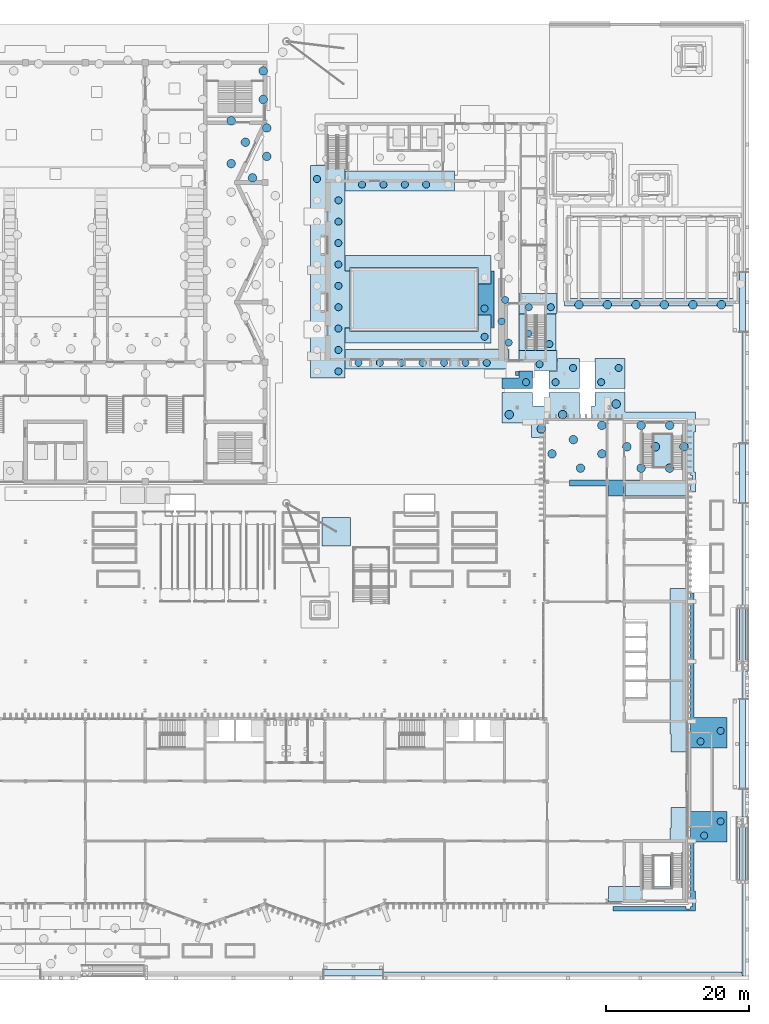
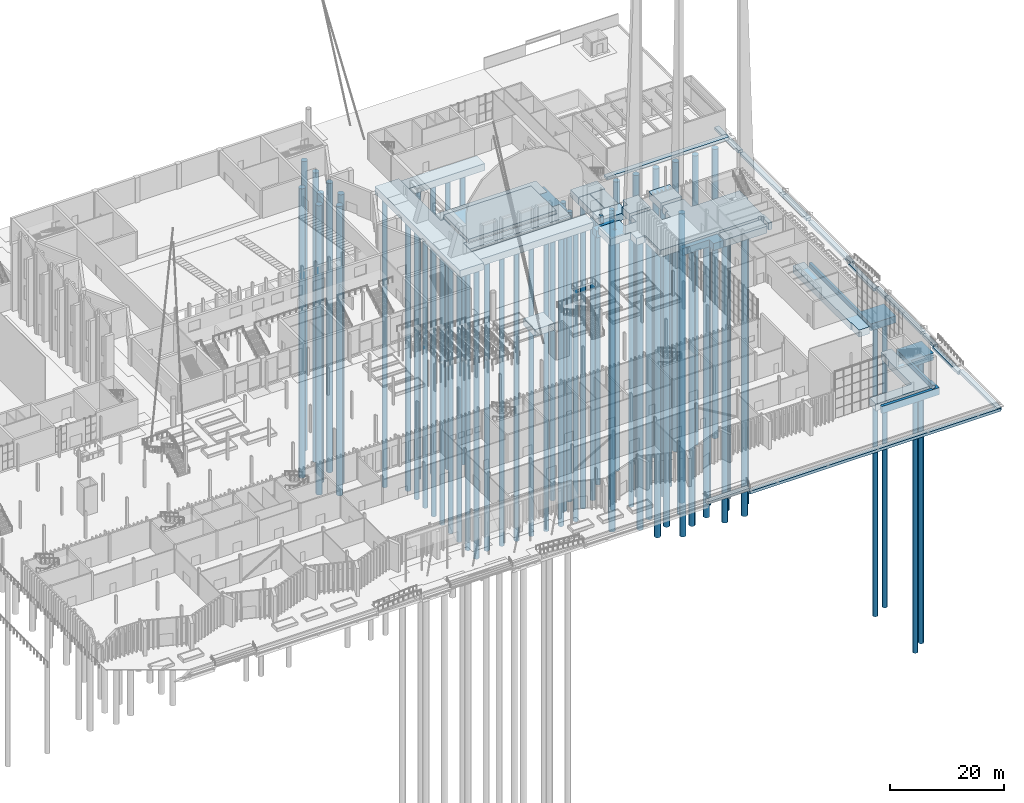
# One storey, part 3 of 108: 70 piles, 36 footings.
"""IFC4 building model written with IfcOpenShell, lengths in metres."""

from ifc_helpers import new_model, si_unit, direction, frame, origin, origin_2d, place, context, subcontext, project, spatial, polyline, rectangle, circle, outline, extrude, material, type_object, element, save


model = new_model("IFC4")

# Units and contexts
model_context = context("Model", 3, precision=1e-05, world=origin(), true_north=direction((0.0, 1.0)))
body_context = subcontext(model_context, "Body", "Model", "MODEL_VIEW")
ifc_project = project(units=[si_unit("LENGTHUNIT", "METRE"), si_unit("AREAUNIT", "SQUARE_METRE"), si_unit("VOLUMEUNIT", "CUBIC_METRE"), si_unit("PLANEANGLEUNIT", "RADIAN"), si_unit("MASSUNIT", "GRAM", prefix="KILO")], contexts=[model_context])

# Site, building, storey
site_placement = place(None, origin())
site = spatial("IfcSite", under=ifc_project, at=site_placement, CompositionType="ELEMENT")
building_placement = place(site_placement, origin())
building = spatial("IfcBuilding", under=site, at=building_placement, Name="Cresset Court Congress Hotel", CompositionType="ELEMENT")
storey_placement = place(building_placement, origin())
storey = spatial("IfcBuildingStorey", under=building, at=storey_placement, Name="L00", CompositionType="ELEMENT", Elevation=0.0)

# Footing
ifc_material_1 = material(Name="Concrete C35", Category="concrete")
footing_type_1 = type_object("IfcFootingType", Name="Anchor block 4000x4000x1500", PredefinedType="PAD_FOOTING", material=ifc_material_1)
footing_1_placement = place(storey_placement, frame((127.60009765625, 51.800048828125, -1.800048828125), z_axis=(0.0, 0.0, 1.0), x_axis=(1.0, 0.0, 0.0)))
element("IfcFooting", 1, at=footing_1_placement, inside=storey, type_object=footing_type_1, Name="Anchor block M2.1", PredefinedType="PAD_FOOTING", context=body_context, shape_type="SweptSolid", body=[
    extrude(rectangle(XDim=4.0, YDim=4.0, at=origin_2d()), origin(), (0.0, 0.0, 1.0), 1.5),
])

# Piles
ifc_material_2 = material(Name="Concrete C35", Category="concrete")
pile_type_1 = type_object("IfcPileType", Name="Bored pile D1000", PredefinedType="BORED", material=ifc_material_2)
for number, where, z_axis, x_axis, name in (
    (2, (127.89990234375, 74.300048828125, -2.800048828125), (0.0, 0.0, -1.0), (1.0, 0.0, 0.0), "Pile 143-2"),
    (3, (127.89990234375, 77.300048828125, -2.800048828125), (0.0, 0.0, -1.0), (1.0, 0.0, 0.0), "Pile 143-4"),
    (4, (127.89990234375, 80.300048828125, -2.800048828125), (0.0, 0.0, -1.0), (1.0, 0.0, 0.0), "Pile 143-6"),
    (5, (127.89990234375, 83.300048828125, -2.800048828125), (0.0, 0.0, -1.0), (1.0, 0.0, 0.0), "Pile 143-8"),
    (6, (127.89990234375, 86.300048828125, -2.800048828125), (0.0, 0.0, -1.0), (1.0, 0.0, 0.0), "Pile 143-10"),
    (7, (127.89990234375, 89.300048828125, -2.800048828125), (0.0, 0.0, -1.0), (1.0, 0.0, 0.0), "Pile 143-12"),
    (8, (127.89990234375, 92.300048828125, -2.800048828125), (0.0, 0.0, -1.0), (1.0, 0.0, 0.0), "Pile 143-14"),
    (9, (127.89990234375, 95.300048828125, -2.800048828125), (0.0, 0.0, -1.0), (1.0, 0.0, 0.0), "Pile 143-16"),
    (10, (127.89990234375, 98.300048828125, -2.800048828125), (0.0, 0.0, -1.0), (1.0, 0.0, 0.0), "Pile 143-18"),
    (11, (124.89990234375, 101.300048828125, -2.800048828125), (0.0, 0.0, -1.0), (1.0, 0.0, 0.0), "Pile 143-19"),
    (12, (148.425048828125, 79.14990234375, -2.800048828125), (0.0, 0.0, -1.0), (1.0, 0.0, 0.0), "Pile 147-1"),
    (13, (130.719970703125, 75.5, -2.800048828125), (0.0, 0.0, -1.0), (1.0, 0.0, 0.0), "Pile 149-1"),
    (14, (133.719970703125, 75.5, -2.800048828125), (0.0, 0.0, -1.0), (1.0, 0.0, 0.0), "Pile 149-2"),
    (15, (136.719970703125, 75.5, -2.800048828125), (0.0, 0.0, -1.0), (1.0, 0.0, 0.0), "Pile 149-3"),
    (16, (139.719970703125, 75.5, -2.800048828125), (0.0, 0.0, -1.0), (1.0, 0.0, 0.0), "Pile 149-4"),
    (17, (142.719970703125, 75.5, -2.800048828125), (0.0, 0.0, -1.0), (1.0, 0.0, 0.0), "Pile 149-5"),
    (18, (145.719970703125, 75.5, -2.800048828125), (0.0, 0.0, -1.0), (1.0, 0.0, 0.0), "Pile 149-6"),
    (19, (148.719970703125, 75.5, -2.800048828125), (0.0, 0.0, -1.0), (1.0, 0.0, 0.0), "Pile 149-7"),
    (20, (131.219970703125, 100.5, -2.800048828125), (0.0, 0.0, -1.0), (1.0, 0.0, 0.0), "Pile 150-1"),
    (21, (134.219970703125, 100.5, -2.800048828125), (0.0, 0.0, -1.0), (1.0, 0.0, 0.0), "Pile 150-2"),
    (22, (137.219970703125, 100.5, -2.800048828125), (0.0, 0.0, -1.0), (1.0, 0.0, 0.0), "Pile 150-3"),
    (23, (140.219970703125, 100.5, -2.800048828125), (0.0, 0.0, -1.0), (1.0, 0.0, 0.0), "Pile 150-4"),
    (24, (148.39990234375, 83.1201171875, -2.800048828125), (0.0, 0.0, -1.0), (1.0, 0.0, 0.0), "Pile 154-1"),
    (25, (151.800048828125, 78.320068359375, -2.800048828125), (0.0, 0.0, -1.0), (1.0, 0.0, 0.0), "Pile 155-1"),
    (26, (150.800048828125, 81.320068359375, -2.800048828125), (0.0, 0.0, -1.0), (1.0, 0.0, 0.0), "Pile 155-2"),
    (27, (151.300048828125, 84.320068359375, -2.800048828125), (0.0, 0.0, -1.0), (1.0, 0.0, 0.0), "Pile 155-3"),
    (28, (154.22509765625, 72.77490234375, -2.800048828125), (0.0, 0.0, -1.0), (1.0, 0.0, 0.0), "Pile 158-1"),
    (29, (156.1201171875, 75.300048828125, -2.800048828125), (0.0, 0.0, -1.0), (1.0, 0.0, 0.0), "Pile 159-1"),
    (30, (154.550048828125, 79.6201171875, -2.800048828125), (0.0, 0.0, -1.0), (1.0, 0.0, 0.0), "Pile 160-1"),
    (31, (154.6201171875, 83.300048828125, -2.800048828125), (0.0, 0.0, -1.0), (1.0, 0.0, 0.0), "Pile 161-1"),
    (32, (157.699951171875, 83.300048828125, -2.800048828125), (0.0, 0.0, -1.0), (1.0, 0.0, 0.0), "Pile 161-2"),
    (33, (157.5, 78.1201171875, -2.800048828125), (0.0, 0.0, -1.0), (1.0, 0.0, 0.0), "Pile 162-1"),
    (34, (158.375, 72.77490234375, -1.39990234375), (0.0, 0.0, -1.0), (1.0, 0.0, 0.0), "Pile 165-1"),
    (35, (160.824951171875, 74.77490234375, -1.39990234375), (0.0, 0.0, -1.0), (1.0, 0.0, 0.0), "Pile 165-2"),
    (36, (164.77490234375, 72.77490234375, -1.39990234375), (0.0, 0.0, -1.0), (1.0, 0.0, 0.0), "Pile 168-1"),
    (37, (167.22509765625, 74.77490234375, -1.39990234375), (0.0, 0.0, -1.0), (1.0, 0.0, 0.0), "Pile 168-2"),
    (38, (179.219970703125, 9.16357421875, -1.39990234375), (0.0, 0.0, -1.0), (1.0, 0.0, 0.0), "Pile 170-1"),
    (39, (181.53662109375, 11.16357421875, -1.39990234375), (0.0, 0.0, -1.0), (1.0, 0.0, 0.0), "Pile 170-2"),
    (40, (178.719970703125, 22.363525390625, -1.39990234375), (0.0, 0.0, -1.0), (1.0, 0.0, 0.0), "Pile 175-1"),
    (41, (181.53662109375, 23.863525390625, -1.39990234375), (0.0, 0.0, -1.0), (1.0, 0.0, 0.0), "Pile 175-2"),
):
    element("IfcPile", number, at=place(storey_placement, frame(where, z_axis=z_axis, x_axis=x_axis)), inside=storey, type_object=pile_type_1, Name=name, PredefinedType="BORED", context=body_context, shape_type="SweptSolid", body=[
        extrude(circle(Radius=0.5, at=origin_2d()), origin(), (0.0, 0.0, 1.0), 62.0),
    ])
ifc_material_3 = material(Name="Concrete C35", Category="concrete")
pile_type_2 = type_object("IfcPileType", Name="Bored pile D1200", PredefinedType="BORED", material=ifc_material_3)
for number, where, z_axis, x_axis, name in (
    (42, (115.85009765625, 101.449951171875, -1.39990234375), (0.0, 0.0, -1.0), (1.0, 0.0, 0.0), "Pile 131-102"),
    (43, (112.85009765625, 103.449951171875, -1.39990234375), (0.0, 0.0, -1.0), (1.0, 0.0, 0.0), "Pile 131-109"),
    (44, (117.85009765625, 104.449951171875, -1.39990234375), (0.0, 0.0, -1.0), (1.0, 0.0, 0.0), "Pile 131-113"),
    (45, (114.85009765625, 106.449951171875, -1.39990234375), (0.0, 0.0, -1.0), (1.0, 0.0, 0.0), "Pile 131-116"),
    (46, (117.85009765625, 108.449951171875, -1.39990234375), (0.0, 0.0, -1.0), (1.0, 0.0, 0.0), "Pile 131-121"),
    (47, (112.85009765625, 109.449951171875, -1.39990234375), (0.0, 0.0, -1.0), (1.0, 0.0, 0.0), "Pile 131-123"),
    (48, (117.35009765625, 112.449951171875, -1.39990234375), (0.0, 0.0, -1.0), (1.0, 0.0, 0.0), "Pile 131-129"),
    (49, (117.35009765625, 116.449951171875, -1.39990234375), (0.0, 0.0, -1.0), (1.0, 0.0, 0.0), "Pile 131-137"),
    (50, (161.875, 60.719970703125, -1.60009765625), (0.0, 0.0, -1.0), (1.0, 0.0, 0.0), "Pile 157-1"),
    (51, (170.375, 60.719970703125, -1.60009765625), (0.0, 0.0, -1.0), (1.0, 0.0, 0.0), "Pile 157-2"),
    (52, (174.375, 60.719970703125, -1.60009765625), (0.0, 0.0, -1.0), (1.0, 0.0, 0.0), "Pile 157-3"),
    (53, (157.875, 62.719970703125, -1.60009765625), (0.0, 0.0, -1.0), (1.0, 0.0, 0.0), "Pile 157-4"),
    (54, (164.875, 62.719970703125, -1.60009765625), (0.0, 0.0, -1.0), (1.0, 0.0, 0.0), "Pile 157-5"),
    (55, (168.375, 63.719970703125, -1.60009765625), (0.0, 0.0, -1.0), (1.0, 0.0, 0.0), "Pile 157-6"),
    (56, (172.375, 63.719970703125, -1.60009765625), (0.0, 0.0, -1.0), (1.0, 0.0, 0.0), "Pile 157-7"),
    (57, (176.375, 63.719970703125, -1.60009765625), (0.0, 0.0, -1.0), (1.0, 0.0, 0.0), "Pile 157-8"),
    (58, (160.875, 64.719970703125, -1.60009765625), (0.0, 0.0, -1.0), (1.0, 0.0, 0.0), "Pile 157-9"),
    (59, (156.375, 66.219970703125, -1.60009765625), (0.0, 0.0, -1.0), (1.0, 0.0, 0.0), "Pile 157-10"),
    (60, (164.875, 66.719970703125, -1.60009765625), (0.0, 0.0, -1.0), (1.0, 0.0, 0.0), "Pile 157-11"),
    (61, (170.375, 66.719970703125, -1.60009765625), (0.0, 0.0, -1.0), (1.0, 0.0, 0.0), "Pile 157-12"),
    (62, (174.375, 66.719970703125, -1.60009765625), (0.0, 0.0, -1.0), (1.0, 0.0, 0.0), "Pile 157-13"),
    (63, (151.875, 68.219970703125, -1.60009765625), (0.0, 0.0, -1.0), (1.0, 0.0, 0.0), "Pile 157-14"),
    (64, (159.375, 68.219970703125, -1.60009765625), (0.0, 0.0, -1.0), (1.0, 0.0, 0.0), "Pile 157-15"),
    (65, (166.875, 69.719970703125, -1.60009765625), (0.0, 0.0, -1.0), (1.0, 0.0, 0.0), "Pile 157-16"),
    (66, (161.64990234375, 83.64990234375, -1.39990234375), (0.0, 0.0, -1.0), (1.0, 0.0, 0.0), "Pile 166-1"),
    (67, (165.64990234375, 83.64990234375, -1.39990234375), (0.0, 0.0, -1.0), (1.0, 0.0, 0.0), "Pile 166-2"),
    (68, (169.64990234375, 83.64990234375, -1.39990234375), (0.0, 0.0, -1.0), (1.0, 0.0, 0.0), "Pile 166-3"),
    (69, (173.64990234375, 83.64990234375, -1.39990234375), (0.0, 0.0, -1.0), (1.0, 0.0, 0.0), "Pile 166-4"),
    (70, (177.64990234375, 83.64990234375, -1.39990234375), (0.0, 0.0, -1.0), (1.0, 0.0, 0.0), "Pile 166-5"),
    (71, (181.64990234375, 83.64990234375, -1.39990234375), (0.0, 0.0, -1.0), (1.0, 0.0, 0.0), "Pile 166-6"),
):
    element("IfcPile", number, at=place(storey_placement, frame(where, z_axis=z_axis, x_axis=x_axis)), inside=storey, type_object=pile_type_2, Name=name, PredefinedType="BORED", context=body_context, shape_type="SweptSolid", body=[
        extrude(circle(Radius=0.60009765625, at=origin_2d()), origin(), (0.0, 0.0, 1.0), 62.0),
    ])

# Footings
ifc_material_4 = material(Name="Concrete C35", Category="concrete")
footing_type_2 = type_object("IfcFootingType", Name="Column pedestal 550x550x1400", PredefinedType="PAD_FOOTING", material=ifc_material_4)
footing_2_placement = place(storey_placement, frame((153.0, 74.0, -1.39990234375), z_axis=(0.0, 0.0, 1.0), x_axis=(1.0, 0.0, 0.0)))
element("IfcFooting", 72, at=footing_2_placement, inside=storey, type_object=footing_type_2, Name="Column pedestal CP02", PredefinedType="PAD_FOOTING", context=body_context, shape_type="SweptSolid", body=[
    extrude(rectangle(XDim=0.550048828125, YDim=0.550048828125, at=origin_2d()), origin(), (0.0, 0.0, 1.0), 1.39990234375),
])
ifc_material_5 = material(Name="Concrete C35", Category="concrete")
footing_type_3 = type_object("IfcFootingType", Name="Ground pad 8.56x2.28", PredefinedType="PAD_FOOTING", material=ifc_material_5)
footing_3_placement = place(storey_placement, frame((0.0, 0.0, -1.699951171875)))
element("IfcFooting", 73, at=footing_3_placement, inside=storey, type_object=footing_type_3, Name="Ground pad GP171", PredefinedType="PAD_FOOTING", context=body_context, shape_type="SweptSolid", body=[
    extrude(outline(polyline([(168.1201171875, 59.080078125), (176.679931640625, 59.080078125), (176.679931640625, 56.800048828125), (168.1201171875, 56.800048828125), (168.1201171875, 59.080078125)])), origin(), (0.0, 0.0, 1.0), 1.5),
])
ifc_material_6 = material(Name="Concrete C35", Category="concrete")
footing_type_4 = type_object("IfcFootingType", Name="Ground pad group 48.6 m2", PredefinedType="PAD_FOOTING", material=ifc_material_6)
footing_4_placement = place(storey_placement, frame((0.0, 0.0, -1.5)))
element("IfcFooting", 74, at=footing_4_placement, inside=storey, type_object=footing_type_4, Name="Ground pad GP169", PredefinedType="PAD_FOOTING", context=body_context, shape_type="SweptSolid", body=[
    extrude(outline(polyline([(174.39990234375, 10.199951171875), (174.56396484375, 10.199951171875), (174.56396484375, 13.135986328125), (176.679931640625, 13.135986328125), (176.679931640625, -0.179931640625), (165.800048828125, -0.179931640625), (165.800048828125, 2.0), (174.39990234375, 2.0), (174.39990234375, 10.199951171875)])), origin(), (0.0, 0.0, 1.0), 1.5),
])
ifc_material_7 = material(Name="Concrete C35", Category="concrete")
footing_type_5 = type_object("IfcFootingType", Name="Ground pad group 51.9 m2", PredefinedType="PAD_FOOTING", material=ifc_material_7)
footing_5_placement = place(storey_placement, frame((0.0, 0.0, -1.5)))
element("IfcFooting", 75, at=footing_5_placement, inside=storey, type_object=footing_type_5, Name="Ground pad GP173", PredefinedType="PAD_FOOTING", context=body_context, shape_type="SweptSolid", body=[
    extrude(outline(polyline([(174.39990234375, 23.39990234375), (174.39990234375, 43.800048828125), (176.679931640625, 43.800048828125), (176.679931640625, 20.863037109375), (174.56396484375, 20.863037109375), (174.56396484375, 23.39990234375), (174.39990234375, 23.39990234375)])), origin(), (0.0, 0.0, 1.0), 1.5),
])
ifc_material_8 = material(Name="Concrete C35", Category="concrete")
footing_type_6 = type_object("IfcFootingType", Name="Ground pad group 9.6 m2", PredefinedType="PAD_FOOTING", material=ifc_material_8)
footing_6_placement = place(storey_placement, frame((0.0, 0.0, -1.699951171875)))
element("IfcFooting", 76, at=footing_6_placement, inside=storey, type_object=footing_type_6, Name="Ground pad GP167", PredefinedType="PAD_FOOTING", context=body_context, shape_type="SweptSolid", body=[
    extrude(outline(polyline([(160.320068359375, 58.199951171875), (160.320068359375, 59.080078125), (167.8798828125, 59.080078125), (167.8798828125, 56.800048828125), (165.800048828125, 56.800048828125), (165.800048828125, 58.199951171875), (160.320068359375, 58.199951171875)])), origin(), (0.0, 0.0, 1.0), 1.5),
])
ifc_material_9 = material(Name="Concrete C35", Category="concrete")
footing_type_7 = type_object("IfcFootingType", Name="Pile cap 2.23x5.16, 1 pile", PredefinedType="PILE_CAP", material=ifc_material_9)
footing_7_placement = place(storey_placement, frame((0.0, 0.0, -2.89990234375)))
element("IfcFooting", 77, at=footing_7_placement, inside=storey, type_object=footing_type_7, Name="Pile cap PC160", PredefinedType="PILE_CAP", context=body_context, shape_type="SweptSolid", body=[
    extrude(outline(polyline([(155.449951171875, 82.3798828125), (155.449951171875, 77.219970703125), (153.219970703125, 77.219970703125), (153.219970703125, 82.3798828125), (155.449951171875, 82.3798828125)])), origin(), (0.0, 0.0, 1.0), 1.5),
])
ifc_material_10 = material(Name="Concrete C35", Category="concrete")
footing_type_8 = type_object("IfcFootingType", Name="Pile cap 2.8x5.16, 1 pile", PredefinedType="PILE_CAP", material=ifc_material_10)
footing_8_placement = place(storey_placement, frame((0.0, 0.0, -2.89990234375)))
element("IfcFooting", 78, at=footing_8_placement, inside=storey, type_object=footing_type_8, Name="Pile cap PC162", PredefinedType="PILE_CAP", context=body_context, shape_type="SweptSolid", body=[
    extrude(outline(polyline([(158.39990234375, 82.3798828125), (158.39990234375, 77.219970703125), (155.60009765625, 77.219970703125), (155.60009765625, 82.3798828125), (158.39990234375, 82.3798828125)])), origin(), (0.0, 0.0, 1.0), 1.5),
])
ifc_material_11 = material(Name="Concrete C35", Category="concrete")
footing_type_9 = type_object("IfcFootingType", Name="Pile cap 22.98x2.8, 7 piles", PredefinedType="PILE_CAP", material=ifc_material_11)
footing_9_placement = place(storey_placement, frame((0.0, 0.0, -2.89990234375)))
element("IfcFooting", 79, at=footing_9_placement, inside=storey, type_object=footing_type_9, Name="Pile cap PC149", PredefinedType="PILE_CAP", context=body_context, shape_type="SweptSolid", body=[
    extrude(outline(polyline([(128.820068359375, 77.39990234375), (151.800048828125, 77.39990234375), (151.800048828125, 74.60009765625), (128.820068359375, 74.60009765625), (128.820068359375, 77.39990234375)])), origin(), (0.0, 0.0, 1.0), 1.5),
])
ifc_material_12 = material(Name="Concrete C35", Category="concrete")
footing_type_10 = type_object("IfcFootingType", Name="Pile cap 4.25x4.25, 2 piles", PredefinedType="PILE_CAP", material=ifc_material_12)
footing_10_placement = place(storey_placement, frame((0.0, 0.0, -1.5)))
element("IfcFooting", 80, at=footing_10_placement, inside=storey, type_object=footing_type_10, Name="Pile cap PC168", PredefinedType="PILE_CAP", context=body_context, shape_type="SweptSolid", body=[
    extrude(outline(polyline([(168.125, 76.125), (168.125, 71.875), (163.875, 71.875), (163.875, 76.125), (168.125, 76.125)])), origin(), (0.0, 0.0, 1.0), 1.5),
])
ifc_material_13 = material(Name="Concrete C35", Category="concrete")
footing_type_11 = type_object("IfcFootingType", Name="Pile cap group 11.3 m2, 1 pile", PredefinedType="PILE_CAP", material=ifc_material_13)
footing_11_placement = place(storey_placement, frame((0.0, 0.0, -2.89990234375)))
element("IfcFooting", 81, at=footing_11_placement, inside=storey, type_object=footing_type_11, Name="Pile cap PC154", PredefinedType="PILE_CAP", context=body_context, shape_type="SweptSolid", body=[
    extrude(outline(polyline([(147.5, 86.580078125), (149.344970703125, 86.580078125), (149.344970703125, 88.3798828125), (149.75, 88.3798828125), (149.75, 80.419921875), (149.344970703125, 80.419921875), (149.344970703125, 82.219970703125), (147.5, 82.219970703125), (147.5, 86.580078125)])), origin(), (0.0, 0.0, 1.0), 1.5),
])
ifc_material_14 = material(Name="Concrete C35", Category="concrete")
footing_type_12 = type_object("IfcFootingType", Name="Pile cap group 148.6 m2, 20 piles", PredefinedType="PILE_CAP", material=ifc_material_14)
footing_12_placement = place(storey_placement, frame((0.0, 0.0, -2.89990234375)))
element("IfcFooting", 82, at=footing_12_placement, inside=storey, type_object=footing_type_12, Name="Pile cap PC143", PredefinedType="PILE_CAP", context=body_context, shape_type="SweptSolid", body=[
    extrude(outline(polyline([(129.5, 80.419921875), (128.800048828125, 80.419921875), (128.800048828125, 73.39990234375), (124.0, 73.39990234375), (124.0, 103.199951171875), (128.800048828125, 103.199951171875), (128.800048828125, 88.3798828125), (129.5, 88.3798828125), (129.5, 80.419921875)])), origin(), (0.0, 0.0, 1.0), 1.5),
])
ifc_material_15 = material(Name="Concrete C35", Category="concrete")
footing_type_13 = type_object("IfcFootingType", Name="Pile cap group 15.1 m2, 1 pile", PredefinedType="PILE_CAP", material=ifc_material_15)
footing_13_placement = place(storey_placement, frame((0.0, 0.0, -2.89990234375)))
element("IfcFooting", 83, at=footing_13_placement, inside=storey, type_object=footing_type_13, Name="Pile cap PC159", PredefinedType="PILE_CAP", context=body_context, shape_type="SweptSolid", body=[
    extrude(outline(polyline([(153.219970703125, 77.199951171875), (158.60009765625, 77.199951171875), (158.60009765625, 74.39990234375), (155.14501953125, 74.39990234375), (153.219970703125, 74.39990234375), (153.219970703125, 77.199951171875)])), origin(), (0.0, 0.0, 1.0), 1.5),
])
ifc_material_16 = material(Name="Concrete C35", Category="concrete")
footing_type_14 = type_object("IfcFootingType", Name="Pile cap group 15.1 m2, 2 piles", PredefinedType="PILE_CAP", material=ifc_material_16)
footing_14_placement = place(storey_placement, frame((0.0, 0.0, -2.89990234375)))
element("IfcFooting", 84, at=footing_14_placement, inside=storey, type_object=footing_type_14, Name="Pile cap PC161", PredefinedType="PILE_CAP", context=body_context, shape_type="SweptSolid", body=[
    extrude(outline(polyline([(153.219970703125, 85.199951171875), (158.60009765625, 85.199951171875), (158.60009765625, 82.39990234375), (155.469970703125, 82.39990234375), (153.219970703125, 82.39990234375), (153.219970703125, 85.199951171875)])), origin(), (0.0, 0.0, 1.0), 1.5),
])
ifc_material_17 = material(Name="Concrete C35", Category="concrete")
footing_type_15 = type_object("IfcFootingType", Name="Pile cap group 16.1 m2, 2 piles", PredefinedType="PILE_CAP", material=ifc_material_17)
footing_15_placement = place(storey_placement, frame((0.0, 0.0, -1.5)))
element("IfcFooting", 85, at=footing_15_placement, inside=storey, type_object=footing_type_15, Name="Pile cap PC165", PredefinedType="PILE_CAP", context=body_context, shape_type="SweptSolid", body=[
    extrude(outline(polyline([(157.47509765625, 74.3798828125), (158.6201171875, 74.3798828125), (158.6201171875, 76.125), (161.72509765625, 76.125), (161.72509765625, 71.875), (157.47509765625, 71.875), (157.47509765625, 74.3798828125)])), origin(), (0.0, 0.0, 1.0), 1.5),
])
ifc_material_18 = material(Name="Concrete C35", Category="concrete")
footing_type_16 = type_object("IfcFootingType", Name="Pile cap group 237.2 m2, 16 piles", PredefinedType="PILE_CAP", material=ifc_material_18)
footing_16_placement = place(storey_placement, frame((0.0, 0.0, -1.699951171875)))
element("IfcFooting", 86, at=footing_16_placement, inside=storey, type_object=footing_type_16, Name="Pile cap PC157", PredefinedType="PILE_CAP", context=body_context, shape_type="SweptSolid", body=[
    extrude(outline(polyline([(163.39697265625, 67.699951171875), (163.39697265625, 69.4140625), (163.875, 69.4140625), (163.875, 71.324951171875), (168.125, 71.324951171875), (168.125, 68.60009765625), (178.0, 68.60009765625), (178.0, 65.800048828125), (177.800048828125, 65.800048828125), (177.800048828125, 60.199951171875), (178.0, 60.199951171875), (178.0, 57.39990234375), (177.320068359375, 57.39990234375), (177.320068359375, 59.080078125), (177.6201171875, 59.080078125), (177.6201171875, 59.719970703125), (177.320068359375, 59.719970703125), (177.320068359375, 60.02001953125), (176.679931640625, 60.02001953125), (176.679931640625, 59.719970703125), (156.699951171875, 59.719970703125), (156.699951171875, 64.986083984375), (154.99609375, 64.986083984375), (154.99609375, 67.074951171875), (150.875, 67.074951171875), (150.875, 71.324951171875), (155.125, 71.324951171875), (155.125, 69.4140625), (157.47509765625, 69.4140625), (157.47509765625, 71.324951171875), (161.72509765625, 71.324951171875), (161.72509765625, 67.699951171875), (163.39697265625, 67.699951171875)])), origin(), (0.0, 0.0, 1.0), 1.5),
])
ifc_material_19 = material(Name="Concrete C35", Category="concrete")
footing_type_17 = type_object("IfcFootingType", Name="Pile cap group 30.2 m2, 2 piles", PredefinedType="PILE_CAP", material=ifc_material_19)
footing_17_placement = place(storey_placement, frame((0.0, 0.0, -1.5)))
element("IfcFooting", 87, at=footing_17_placement, inside=storey, type_object=footing_type_17, Name="Pile cap PC175", PredefinedType="PILE_CAP", context=body_context, shape_type="SweptSolid", body=[
    extrude(outline(polyline([(177.320068359375, 21.462890625), (177.320068359375, 43.199951171875), (177.800048828125, 43.199951171875), (177.800048828125, 25.737060546875), (182.43701171875, 25.737060546875), (182.43701171875, 21.462890625), (177.320068359375, 21.462890625)])), origin(), (0.0, 0.0, 1.0), 1.5),
])
ifc_material_20 = material(Name="Concrete C35", Category="concrete")
footing_type_18 = type_object("IfcFootingType", Name="Pile cap group 33 m2, 2 piles", PredefinedType="PILE_CAP", material=ifc_material_20)
footing_18_placement = place(storey_placement, frame((0.0, 0.0, -1.5)))
element("IfcFooting", 88, at=footing_18_placement, inside=storey, type_object=footing_type_18, Name="Pile cap PC170", PredefinedType="PILE_CAP", context=body_context, shape_type="SweptSolid", body=[
    extrude(outline(polyline([(178.0, 1.39990234375), (178.0, -1.39990234375), (166.39990234375, -1.39990234375), (166.39990234375, -0.820068359375), (176.679931640625, -0.820068359375), (176.679931640625, -1.1201171875), (177.320068359375, -1.1201171875), (177.320068359375, -0.820068359375), (177.6201171875, -0.820068359375), (177.6201171875, -0.179931640625), (177.320068359375, -0.179931640625), (177.320068359375, 12.537109375), (182.43701171875, 12.537109375), (182.43701171875, 8.263916015625), (177.800048828125, 8.263916015625), (177.800048828125, 1.39990234375), (178.0, 1.39990234375)])), origin(), (0.0, 0.0, 1.0), 1.5),
])
ifc_material_21 = material(Name="Concrete C35", Category="concrete")
footing_type_19 = type_object("IfcFootingType", Name="Pile cap group 38.4 m2, 1 pile", PredefinedType="PILE_CAP", material=ifc_material_21)
footing_19_placement = place(storey_placement, frame((0.0, 0.0, -2.89990234375)))
element("IfcFooting", 89, at=footing_19_placement, inside=storey, type_object=footing_type_19, Name="Pile cap PC147", PredefinedType="PILE_CAP", context=body_context, shape_type="SweptSolid", body=[
    extrude(outline(polyline([(129.5, 79.89990234375), (147.5, 79.89990234375), (147.5, 82.199951171875), (149.324951171875, 82.199951171875), (149.324951171875, 78.25), (128.820068359375, 78.25), (128.820068359375, 80.39990234375), (129.5, 80.39990234375), (129.5, 79.89990234375)])), origin(), (0.0, 0.0, 1.0), 1.5),
])
footing_20_placement = place(storey_placement, frame((0.0, 0.0, -2.89990234375)))
element("IfcFooting", 90, at=footing_20_placement, inside=storey, type_object=footing_type_19, Name="Pile cap PC148", PredefinedType="PILE_CAP", context=body_context, shape_type="SweptSolid", body=[
    extrude(outline(polyline([(149.324951171875, 90.550048828125), (149.324951171875, 86.60009765625), (147.5, 86.60009765625), (147.5, 88.89990234375), (129.5, 88.89990234375), (129.5, 88.39990234375), (128.820068359375, 88.39990234375), (128.820068359375, 90.550048828125), (149.324951171875, 90.550048828125)])), origin(), (0.0, 0.0, 1.0), 1.5),
])
ifc_material_22 = material(Name="Concrete C35", Category="concrete")
footing_type_20 = type_object("IfcFootingType", Name="Pile cap group 43.1 m2, 5 piles", PredefinedType="PILE_CAP", material=ifc_material_22)
footing_21_placement = place(storey_placement, frame((0.0, 0.0, -2.89990234375)))
element("IfcFooting", 91, at=footing_21_placement, inside=storey, type_object=footing_type_20, Name="Pile cap PC150", PredefinedType="PILE_CAP", context=body_context, shape_type="SweptSolid", body=[
    extrude(outline(polyline([(128.820068359375, 102.39990234375), (130.570068359375, 102.39990234375), (144.199951171875, 102.39990234375), (144.199951171875, 99.60009765625), (128.820068359375, 99.60009765625), (128.820068359375, 102.39990234375)])), origin(), (0.0, 0.0, 1.0), 1.5),
])
ifc_material_23 = material(Name="Concrete C35", Category="concrete")
footing_type_21 = type_object("IfcFootingType", Name="Pile cap group 8.3 m2, 1 pile", PredefinedType="PILE_CAP", material=ifc_material_23)
footing_22_placement = place(storey_placement, frame((0.0, 0.0, -2.89990234375)))
element("IfcFooting", 92, at=footing_22_placement, inside=storey, type_object=footing_type_21, Name="Pile cap PC158", PredefinedType="PILE_CAP", context=body_context, shape_type="SweptSolid", body=[
    extrude(outline(polyline([(153.219970703125, 73.3798828125), (153.219970703125, 74.3798828125), (155.125, 74.3798828125), (155.125, 71.875), (150.875, 71.875), (150.875, 73.3798828125), (153.219970703125, 73.3798828125)])), origin(), (0.0, 0.0, 1.0), 1.5),
])
ifc_material_24 = material(Name="Concrete C35", Category="concrete")
footing_type_22 = type_object("IfcFootingType", Name="RC pool tank raft 700 C35", PredefinedType="PAD_FOOTING", material=ifc_material_24)
footing_23_placement = place(storey_placement, frame((0.0, 0.0, -1.39990234375)))
element("IfcFooting", 93, at=footing_23_placement, inside=storey, type_object=footing_type_22, Name="Leisure pool tank raft", PredefinedType="PAD_FOOTING", context=body_context, shape_type="SweptSolid", body=[
    extrude(outline(polyline([(129.64990234375, 80.050048828125), (147.35009765625, 80.050048828125), (147.35009765625, 88.75), (129.64990234375, 88.75), (129.64990234375, 80.050048828125)])), origin(), (0.0, 0.0, 1.0), 0.699951171875),
])
ifc_material_25 = material(Name="Concrete C35", Category="concrete")
footing_type_23 = type_object("IfcFootingType", Name="Strip footing 1000x600", PredefinedType="STRIP_FOOTING", material=ifc_material_25)
footing_24_placement = place(storey_placement, frame((0.0, 0.0, -1.800048828125)))
element("IfcFooting", 94, at=footing_24_placement, inside=storey, type_object=footing_type_23, Name="Strip footing PS06", PredefinedType="STRIP_FOOTING", context=body_context, shape_type="SweptSolid", body=[
    extrude(outline(polyline([(134.199951171875, -10.0), (185.050048828125, -10.0), (185.050048828125, -10.800048828125), (134.199951171875, -10.800048828125), (134.199951171875, -10.0)])), origin(), (0.0, 0.0, 1.0), 0.60009765625),
])
footing_25_placement = place(storey_placement, frame((0.0, 0.0, -1.800048828125)))
element("IfcFooting", 95, at=footing_25_placement, inside=storey, type_object=footing_type_23, Name="Strip footing PE01", PredefinedType="STRIP_FOOTING", context=body_context, shape_type="SweptSolid", body=[
    extrude(outline(polyline([(184.5, -10.550048828125), (184.5, 2.89990234375), (185.300048828125, 2.89990234375), (185.300048828125, -10.550048828125), (184.5, -10.550048828125)])), origin(), (0.0, 0.0, 1.0), 0.60009765625),
])
footing_26_placement = place(storey_placement, frame((0.0, 0.0, -1.800048828125)))
element("IfcFooting", 96, at=footing_26_placement, inside=storey, type_object=footing_type_23, Name="Strip footing PE02", PredefinedType="STRIP_FOOTING", context=body_context, shape_type="SweptSolid", body=[
    extrude(outline(polyline([(184.5, 11.800048828125), (184.5, 15.699951171875), (185.300048828125, 15.699951171875), (185.300048828125, 11.800048828125), (184.5, 11.800048828125)])), origin(), (0.0, 0.0, 1.0), 0.60009765625),
])
footing_27_placement = place(storey_placement, frame((0.0, 0.0, -1.800048828125)))
element("IfcFooting", 97, at=footing_27_placement, inside=storey, type_object=footing_type_23, Name="Strip footing PE03", PredefinedType="STRIP_FOOTING", context=body_context, shape_type="SweptSolid", body=[
    extrude(outline(polyline([(184.5, 28.300048828125), (184.5, 32.199951171875), (185.300048828125, 32.199951171875), (185.300048828125, 28.300048828125), (184.5, 28.300048828125)])), origin(), (0.0, 0.0, 1.0), 0.60009765625),
])
footing_28_placement = place(storey_placement, frame((0.0, 0.0, -1.800048828125)))
element("IfcFooting", 98, at=footing_28_placement, inside=storey, type_object=footing_type_23, Name="Strip footing PE04", PredefinedType="STRIP_FOOTING", context=body_context, shape_type="SweptSolid", body=[
    extrude(outline(polyline([(184.5, 41.10009765625), (184.5, 55.800048828125), (185.300048828125, 55.800048828125), (185.300048828125, 41.10009765625), (184.5, 41.10009765625)])), origin(), (0.0, 0.0, 1.0), 0.60009765625),
])
footing_29_placement = place(storey_placement, frame((0.0, 0.0, -1.800048828125)))
element("IfcFooting", 99, at=footing_29_placement, inside=storey, type_object=footing_type_23, Name="Strip footing PE05", PredefinedType="STRIP_FOOTING", context=body_context, shape_type="SweptSolid", body=[
    extrude(outline(polyline([(184.5, 64.199951171875), (184.5, 79.800048828125), (185.300048828125, 79.800048828125), (185.300048828125, 64.199951171875), (184.5, 64.199951171875)])), origin(), (0.0, 0.0, 1.0), 0.60009765625),
])
footing_30_placement = place(storey_placement, frame((0.0, 0.0, -1.199951171875)))
element("IfcFooting", 100, at=footing_30_placement, inside=storey, type_object=footing_type_23, Name="Strip footing steps S03", PredefinedType="STRIP_FOOTING", context=body_context, shape_type="SweptSolid", body=[
    extrude(outline(polyline([(125.800048828125, -9.64990234375), (134.199951171875, -9.64990234375), (134.199951171875, -10.550048828125), (125.800048828125, -10.550048828125), (125.800048828125, -9.64990234375)])), origin(), (0.0, 0.0, 1.0), 0.550048828125),
])
footing_31_placement = place(storey_placement, frame((0.0, 0.0, -1.199951171875)))
element("IfcFooting", 101, at=footing_31_placement, inside=storey, type_object=footing_type_23, Name="Strip footing steps E01", PredefinedType="STRIP_FOOTING", context=body_context, shape_type="SweptSolid", body=[
    extrude(outline(polyline([(184.14990234375, 15.699951171875), (184.14990234375, 28.300048828125), (185.050048828125, 28.300048828125), (185.050048828125, 15.699951171875), (184.14990234375, 15.699951171875)])), origin(), (0.0, 0.0, 1.0), 0.550048828125),
])
footing_32_placement = place(storey_placement, frame((0.0, 0.0, -1.199951171875)))
element("IfcFooting", 102, at=footing_32_placement, inside=storey, type_object=footing_type_23, Name="Strip footing steps E02", PredefinedType="STRIP_FOOTING", context=body_context, shape_type="SweptSolid", body=[
    extrude(outline(polyline([(184.14990234375, 55.800048828125), (184.14990234375, 64.199951171875), (185.050048828125, 64.199951171875), (185.050048828125, 55.800048828125), (184.14990234375, 55.800048828125)])), origin(), (0.0, 0.0, 1.0), 0.550048828125),
])
footing_33_placement = place(storey_placement, frame((0.0, 0.0, -1.199951171875)))
element("IfcFooting", 103, at=footing_33_placement, inside=storey, type_object=footing_type_23, Name="Strip footing steps E03", PredefinedType="STRIP_FOOTING", context=body_context, shape_type="SweptSolid", body=[
    extrude(outline(polyline([(184.14990234375, 79.800048828125), (184.14990234375, 88.199951171875), (185.050048828125, 88.199951171875), (185.050048828125, 79.800048828125), (184.14990234375, 79.800048828125)])), origin(), (0.0, 0.0, 1.0), 0.550048828125),
])
footing_34_placement = place(storey_placement, frame((0.0, 0.0, -2.0)))
element("IfcFooting", 104, at=footing_34_placement, inside=storey, type_object=footing_type_23, Name="Strip footing ramp E01", PredefinedType="STRIP_FOOTING", context=body_context, shape_type="SweptSolid", body=[
    extrude(outline(polyline([(184.199951171875, 2.800048828125), (184.199951171875, 11.699951171875), (185.0, 11.699951171875), (185.0, 2.800048828125), (184.199951171875, 2.800048828125)])), origin(), (0.0, 0.0, 1.0), 0.60009765625),
])
footing_35_placement = place(storey_placement, frame((0.0, 0.0, -2.0)))
element("IfcFooting", 105, at=footing_35_placement, inside=storey, type_object=footing_type_23, Name="Strip footing ramp E02", PredefinedType="STRIP_FOOTING", context=body_context, shape_type="SweptSolid", body=[
    extrude(outline(polyline([(185.0, 41.199951171875), (185.0, 32.300048828125), (184.199951171875, 32.300048828125), (184.199951171875, 41.199951171875), (185.0, 41.199951171875)])), origin(), (0.0, 0.0, 1.0), 0.60009765625),
])
footing_36_placement = place(storey_placement, frame((0.0, 0.0, -0.60009765625)))
element("IfcFooting", 106, at=footing_36_placement, inside=storey, type_object=footing_type_23, Name="Strip footing DKS", PredefinedType="STRIP_FOOTING", context=body_context, shape_type="SweptSolid", body=[
    extrude(outline(polyline([(159.625, 83.5), (184.375, 83.5), (184.375, 84.5), (159.625, 84.5), (159.625, 83.5)])), origin(), (0.0, 0.0, 1.0), 0.60009765625),
])

save(model, "model.ifc")
